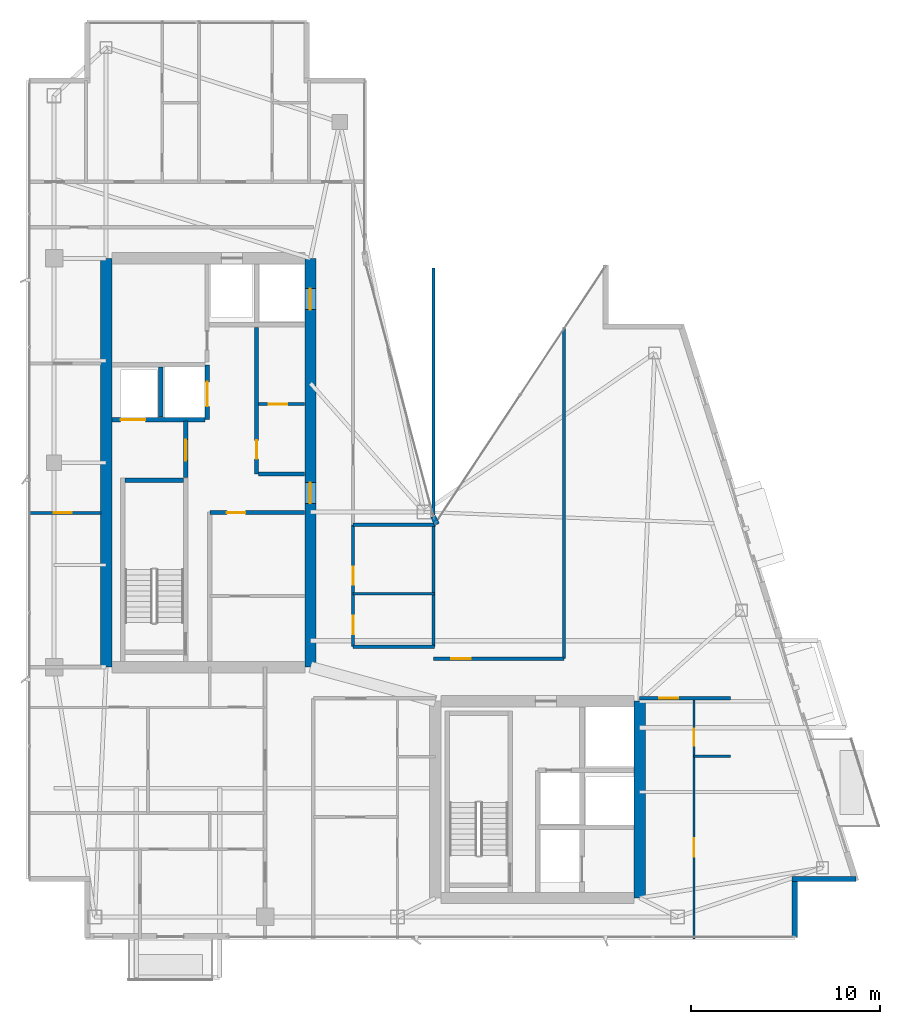
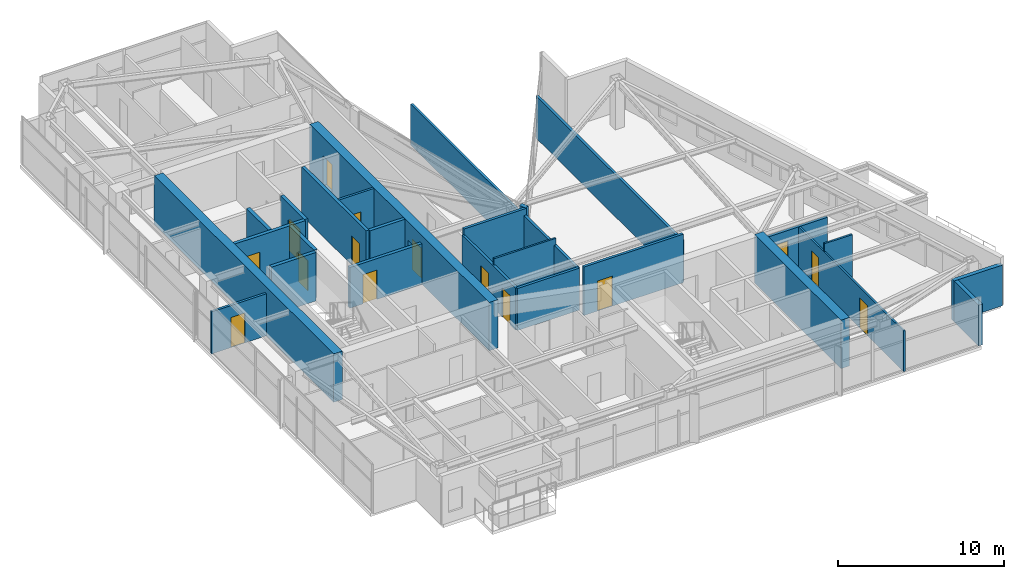
# One storey, part 24 of 28: 27 walls, 15 doors, 15 openings.
"""IFC4 building model written with IfcOpenShell, lengths in metres."""

from ifc_helpers import new_model, si_unit, direction, frame, frame_2d, origin, place, context, subcontext, project, spatial, rectangle, extrude, material, layer, layer_set, type_object, element, fill, save


model = new_model("IFC4")

# Units and contexts
model_context = context("Model", 3, precision=1e-05, world=origin(), true_north=direction((0.0, 1.0)))
body_context = subcontext(model_context, "Body", "Model", "MODEL_VIEW")
ifc_project = project(units=[si_unit("LENGTHUNIT", "METRE"), si_unit("AREAUNIT", "SQUARE_METRE"), si_unit("VOLUMEUNIT", "CUBIC_METRE"), si_unit("PLANEANGLEUNIT", "RADIAN"), si_unit("MASSUNIT", "GRAM", prefix="KILO")], contexts=[model_context])

# Site, building, storey
site_placement = place(None, origin())
site = spatial("IfcSite", under=ifc_project, at=site_placement, CompositionType="ELEMENT")
building_placement = place(site_placement, origin())
building = spatial("IfcBuilding", under=site, at=building_placement, Name="Calvorn Quay Hotel", CompositionType="ELEMENT")
storey_placement = place(building_placement, frame((0.0, 0.0, 267.300048828125)))
storey = spatial("IfcBuildingStorey", under=building, at=storey_placement, Name="L66", CompositionType="ELEMENT", Elevation=267.300048828125)

# Wall
ifc_material_1 = material(Name="Concrete C45", Category="concrete")
ifc_layer_1 = layer(ifc_material_1, 0.60009765625)
ifc_layer_set_1 = layer_set([ifc_layer_1], Name="WL-CORE-600")
wall_type_1 = type_object("IfcWallType", Name="WL-CORE-600", PredefinedType="SHEAR", material=ifc_layer_set_1)
wall_1_placement = place(storey_placement, frame((4.199951171875, 16.800048828125, 0.0), z_axis=(0.0, 0.0, 1.0), x_axis=(0.0, 1.0, 0.0)))
element("IfcWall", 1, at=wall_1_placement, inside=storey, type_object=wall_type_1, Name="West Core Shear Wall W (L66)", PredefinedType="SHEAR", context=body_context, shape_type="SweptSolid", body=[
    extrude(rectangle(XDim=21.599853515625, YDim=0.60009765625, at=frame_2d((10.7998046875, 0.0))), origin(), (0.0, 0.0, 1.0), 3.56005859375),
])

# Wall, openings, doors
wall_2_placement = place(storey_placement, frame((15.0, 16.800048828125, 0.0), z_axis=(0.0, 0.0, 1.0), x_axis=(0.0, 1.0, 0.0)))
wall_2 = element("IfcWall", 2, at=wall_2_placement, inside=storey, type_object=wall_type_1, Name="West Core Shear Wall E (L66)", PredefinedType="SHEAR", context=body_context, shape_type="SweptSolid", body=[
    extrude(rectangle(XDim=21.599853515625, YDim=0.60009765625, at=frame_2d((10.7998046875, 0.0))), origin(), (0.0, 0.0, 1.0), 3.56005859375),
])
opening_1_placement = place(wall_2_placement, frame((8.64990234375, 0.0, 0.0)))
opening_1 = element("IfcOpeningElement", 3, at=opening_1_placement, cuts=wall_2, Name="Opening D-L66-CW1", PredefinedType="OPENING", context=body_context, shape_type="SweptSolid", body=[
    extrude(rectangle(XDim=1.10009765625, YDim=2.199951171875, at=frame_2d((0.550048828125, 1.10009765625))), frame((0.0, 0.31005859375, 0.0), z_axis=(0.0, -1.0, 0.0), x_axis=(1.0, 0.0, 0.0)), (0.0, 0.0, 1.0), 0.6201171875),
])
opening_2_placement = place(wall_2_placement, frame((18.89990234375, 0.0, 0.0)))
opening_2 = element("IfcOpeningElement", 4, at=opening_2_placement, cuts=wall_2, Name="Opening LD-L66-H1", PredefinedType="OPENING", context=body_context, shape_type="SweptSolid", body=[
    extrude(rectangle(XDim=1.10009765625, YDim=2.199951171875, at=frame_2d((0.550048828125, 1.10009765625))), frame((0.0, 0.31005859375, 0.0), z_axis=(0.0, -1.0, 0.0), x_axis=(1.0, 0.0, 0.0)), (0.0, 0.0, 1.0), 0.6201171875),
])
ifc_material_2 = material(Name="Smoke-Sealed Steel Class A Fire Door", Category="steel")
door_type_1 = type_object("IfcDoorType", Name="DR-FFLOBBY-1100", OperationType="NOTDEFINED", PredefinedType="DOOR", material=ifc_material_2)
door_1_placement = place(opening_1_placement, origin())
door_1 = element("IfcDoor", 5, at=door_1_placement, inside=storey, type_object=door_type_1, Name="West Core Vestibule Fire Door (L66)", OperationType="SINGLE_SWING_LEFT", OverallHeight=2.199951171875, OverallWidth=1.10009765625, PredefinedType="DOOR", context=body_context, shape_type="SweptSolid", body=[
    extrude(rectangle(XDim=1.10009765625, YDim=2.199951171875, at=frame_2d((0.550048828125, 1.10009765625))), frame((0.0, 0.02490234375, 0.0), z_axis=(0.0, -1.0, 0.0), x_axis=(1.0, 0.0, 0.0)), (0.0, 0.0, 1.0), 0.050048828125),
])
fill(opening_1, door_1)
ifc_material_3 = material(Name="Brushed Stainless Steel Sliding Lift Landing Door", Category="steel")
door_type_2 = type_object("IfcDoorType", Name="DR-LIFT-PASS-1100", OperationType="NOTDEFINED", PredefinedType="DOOR", material=ifc_material_3)
door_2_placement = place(opening_2_placement, origin())
door_2 = element("IfcDoor", 6, at=door_2_placement, inside=storey, type_object=door_type_2, Name="High-Rise Lift PL-H1 Landing Door (L66)", OperationType="DOUBLE_DOOR_SLIDING", OverallHeight=2.199951171875, OverallWidth=1.10009765625, PredefinedType="DOOR", context=body_context, shape_type="SweptSolid", body=[
    extrude(rectangle(XDim=1.10009765625, YDim=2.199951171875, at=frame_2d((0.550048828125, 1.10009765625))), frame((0.0, 0.02490234375, 0.0), z_axis=(0.0, -1.0, 0.0), x_axis=(1.0, 0.0, 0.0)), (0.0, 0.0, 1.0), 0.050048828125),
])
fill(opening_2, door_2)

# Walls
wall_3_placement = place(storey_placement, frame((32.39990234375, 4.60009765625, 0.0), z_axis=(0.0, 0.0, 1.0), x_axis=(0.0, 1.0, 0.0)))
element("IfcWall", 7, at=wall_3_placement, inside=storey, type_object=wall_type_1, Name="East Core Shear Wall E (L66)", PredefinedType="SHEAR", context=body_context, shape_type="SweptSolid", body=[
    extrude(rectangle(XDim=10.39990234375, YDim=0.60009765625, at=frame_2d((5.199951171875, 0.0))), origin(), (0.0, 0.0, 1.0), 3.56005859375),
])
ifc_material_4 = material(Name="Acoustic Fireboard Steel-Stud Partition", Category="steel")
ifc_layer_2 = layer(ifc_material_4, 0.179931640625)
ifc_layer_set_2 = layer_set([ifc_layer_2], Name="WL-CORR-FIRE-180")
wall_type_2 = type_object("IfcWallType", Name="WL-CORR-FIRE-180", PredefinedType="PARTITIONING", material=ifc_layer_set_2)
wall_4_placement = place(storey_placement, frame((17.25, 17.8798828125, 0.0), z_axis=(0.0, 0.0, 1.0), x_axis=(1.0, 0.0, 0.0)))
element("IfcWall", 8, at=wall_4_placement, inside=storey, type_object=wall_type_2, Name="Partition Wall L66-WL-HK-S", PredefinedType="PARTITIONING", context=body_context, shape_type="SweptSolid", body=[
    extrude(rectangle(XDim=4.300048828125, YDim=0.179931640625, at=frame_2d((2.14990234375, 0.0))), origin(), (0.0, 0.0, 1.0), 3.08984375),
])
wall_5_placement = place(storey_placement, frame((17.25, 24.320068359375, 0.0), z_axis=(0.0, 0.0, 1.0), x_axis=(1.0, 0.0, 0.0)))
element("IfcWall", 9, at=wall_5_placement, inside=storey, type_object=wall_type_2, Name="Partition Wall L66-WL-HK-N", PredefinedType="PARTITIONING", context=body_context, shape_type="SweptSolid", body=[
    extrude(rectangle(XDim=4.35009765625, YDim=0.179931640625, at=frame_2d((2.175048828125, 0.0))), origin(), (0.0, 0.0, 1.0), 3.56005859375),
])
wall_6_placement = place(storey_placement, frame((21.5, 17.8798828125, 0.0), z_axis=(0.0, 0.0, 1.0), x_axis=(0.0, 1.0, 0.0)))
element("IfcWall", 10, at=wall_6_placement, inside=storey, type_object=wall_type_2, Name="Partition Wall L66-WL-HK-E", PredefinedType="PARTITIONING", context=body_context, shape_type="SweptSolid", body=[
    extrude(rectangle(XDim=6.440185546875, YDim=0.179931640625, at=frame_2d((3.22021484375, 0.0))), origin(), (0.0, 0.0, 1.0), 3.08984375),
])

# Wall, openings, doors
wall_7_placement = place(storey_placement, frame((17.25, 17.8798828125, 0.0), z_axis=(0.0, 0.0, 1.0), x_axis=(0.0, 1.0, 0.0)))
wall_7 = element("IfcWall", 11, at=wall_7_placement, inside=storey, type_object=wall_type_2, Name="Partition Wall L66-WL-HK-W", PredefinedType="PARTITIONING", context=body_context, shape_type="SweptSolid", body=[
    extrude(rectangle(XDim=6.440185546875, YDim=0.179931640625, at=frame_2d((3.22021484375, 0.0))), origin(), (0.0, 0.0, 1.0), 3.08984375),
])
opening_3_placement = place(wall_7_placement, frame((0.64990234375, 0.0, 0.0)))
opening_3 = element("IfcOpeningElement", 12, at=opening_3_placement, cuts=wall_7, Name="Opening D-L66-HK", PredefinedType="OPENING", context=body_context, shape_type="SweptSolid", body=[
    extrude(rectangle(XDim=0.97998046875, YDim=2.14990234375, at=frame_2d((0.489990234375, 1.074951171875))), frame((0.0, 0.099853515625, 0.0), z_axis=(0.0, -1.0, 0.0), x_axis=(1.0, 0.0, 0.0)), (0.0, 0.0, 1.0), 0.199951171875),
])
opening_4_placement = place(wall_7_placement, frame((3.27001953125, 0.0, 0.0)))
opening_4 = element("IfcOpeningElement", 13, at=opening_4_placement, cuts=wall_7, Name="Opening D-L66-NCP", PredefinedType="OPENING", context=body_context, shape_type="SweptSolid", body=[
    extrude(rectangle(XDim=0.9599609375, YDim=2.199951171875, at=frame_2d((0.47998046875, 1.10009765625))), frame((0.0, 0.099853515625, 0.0), z_axis=(0.0, -1.0, 0.0), x_axis=(1.0, 0.0, 0.0)), (0.0, 0.0, 1.0), 0.199951171875),
])
ifc_material_5 = material(Name="Painted Steel Housekeeping/Riser Fire Door", Category="steel")
door_type_3 = type_object("IfcDoorType", Name="DR-SERVICE-980", OperationType="NOTDEFINED", PredefinedType="DOOR", material=ifc_material_5)
door_3_placement = place(opening_3_placement, origin())
door_3 = element("IfcDoor", 14, at=door_3_placement, inside=storey, type_object=door_type_3, Name="Floor Housekeeping Door (L66)", OperationType="SINGLE_SWING_LEFT", OverallHeight=2.14990234375, OverallWidth=0.97998046875, PredefinedType="DOOR", context=body_context, shape_type="SweptSolid", body=[
    extrude(rectangle(XDim=0.97998046875, YDim=2.14990234375, at=frame_2d((0.489990234375, 1.074951171875))), frame((0.0, 0.02490234375, 0.0), z_axis=(0.0, -1.0, 0.0), x_axis=(1.0, 0.0, 0.0)), (0.0, 0.0, 1.0), 0.050048828125),
])
fill(opening_3, door_3)
ifc_material_6 = material(Name="Solid Timber Internal Suite Door", Category="wood")
door_type_4 = type_object("IfcDoorType", Name="DR-SUITE-INT-960", OperationType="NOTDEFINED", PredefinedType="DOOR", material=ifc_material_6)
door_4_placement = place(opening_4_placement, origin())
door_4 = element("IfcDoor", 15, at=door_4_placement, inside=storey, type_object=door_type_4, Name="Reading Alcove Door (L66)", OperationType="SINGLE_SWING_RIGHT", OverallHeight=2.199951171875, OverallWidth=0.9599609375, PredefinedType="DOOR", context=body_context, shape_type="SweptSolid", body=[
    extrude(rectangle(XDim=0.9599609375, YDim=2.199951171875, at=frame_2d((0.47998046875, 1.10009765625))), frame((0.0, 0.02490234375, 0.0), z_axis=(0.0, -1.0, 0.0), x_axis=(1.0, 0.0, 0.0)), (0.0, 0.0, 1.0), 0.050048828125),
])
fill(opening_4, door_4)

# Wall, opening, door
wall_8_placement = place(storey_placement, frame((32.39990234375, 15.14990234375, 0.0), z_axis=(0.0, 0.0, 1.0), x_axis=(1.0, 0.0, 0.0)))
wall_8 = element("IfcWall", 16, at=wall_8_placement, inside=storey, type_object=wall_type_2, Name="Partition Wall L66-WL-CORR-SE-S", PredefinedType="PARTITIONING", context=body_context, shape_type="SweptSolid", body=[
    extrude(rectangle(XDim=4.800048828125, YDim=0.179931640625, at=frame_2d((2.39990234375, 0.0))), origin(), (0.0, 0.0, 1.0), 2.989990234375),
])
opening_5_placement = place(wall_8_placement, frame((1.030029296875, 0.0, 0.0)))
opening_5 = element("IfcOpeningElement", 17, at=opening_5_placement, cuts=wall_8, Name="Opening D-L66-U06", PredefinedType="OPENING", context=body_context, shape_type="SweptSolid", body=[
    extrude(rectangle(XDim=1.02001953125, YDim=2.199951171875, at=frame_2d((0.510009765625, 1.10009765625))), frame((0.0, 0.099853515625, 0.0), z_axis=(0.0, -1.0, 0.0), x_axis=(1.0, 0.0, 0.0)), (0.0, 0.0, 1.0), 0.199951171875),
])
ifc_material_7 = material(Name="Solid-Core Walnut Veneer Hotel Fire Door")
door_type_5 = type_object("IfcDoorType", Name="DR-GUEST-ENTRY-1020", OperationType="NOTDEFINED", PredefinedType="DOOR", material=ifc_material_7)
door_5_placement = place(opening_5_placement, origin())
door_5 = element("IfcDoor", 18, at=door_5_placement, inside=storey, type_object=door_type_5, Name="South-East Unit Door U06 (L66)", OperationType="SINGLE_SWING_LEFT", OverallHeight=2.199951171875, OverallWidth=1.02001953125, PredefinedType="DOOR", context=body_context, shape_type="SweptSolid", body=[
    extrude(rectangle(XDim=1.02001953125, YDim=2.199951171875, at=frame_2d((0.510009765625, 1.10009765625))), frame((0.0, 0.02490234375, 0.0), z_axis=(0.0, -1.0, 0.0), x_axis=(1.0, 0.0, 0.0)), (0.0, 0.0, 1.0), 0.050048828125),
])
fill(opening_5, door_5)

wall_9_placement = place(storey_placement, frame((21.5, 17.25, 0.0), z_axis=(0.0, 0.0, 1.0), x_axis=(1.0, 0.0, 0.0)))
wall_9 = element("IfcWall", 19, at=wall_9_placement, inside=storey, type_object=wall_type_2, Name="Partition Wall L66-WL-CORR-NE-N", PredefinedType="PARTITIONING", context=body_context, shape_type="SweptSolid", body=[
    extrude(rectangle(XDim=6.89990234375, YDim=0.179931640625, at=frame_2d((3.449951171875, 0.0))), origin(), (0.0, 0.0, 1.0), 3.56005859375),
])
opening_6_placement = place(wall_9_placement, frame((0.949951171875, 0.0, 0.0)))
opening_6 = element("IfcOpeningElement", 20, at=opening_6_placement, cuts=wall_9, Name="Opening D-L66-NS1", PredefinedType="OPENING", context=body_context, shape_type="SweptSolid", body=[
    extrude(rectangle(XDim=1.02001953125, YDim=2.199951171875, at=frame_2d((0.510009765625, 1.10009765625))), frame((0.0, 0.099853515625, 0.0), z_axis=(0.0, -1.0, 0.0), x_axis=(1.0, 0.0, 0.0)), (0.0, 0.0, 1.0), 0.199951171875),
])
door_6_placement = place(opening_6_placement, origin())
door_6 = element("IfcDoor", 21, at=door_6_placement, inside=storey, type_object=door_type_5, Name="Conservatory Salon Door 1 (L66)", OperationType="SINGLE_SWING_RIGHT", OverallHeight=2.199951171875, OverallWidth=1.02001953125, PredefinedType="DOOR", context=body_context, shape_type="SweptSolid", body=[
    extrude(rectangle(XDim=1.02001953125, YDim=2.199951171875, at=frame_2d((0.510009765625, 1.10009765625))), frame((0.0, 0.02490234375, 0.0), z_axis=(0.0, -1.0, 0.0), x_axis=(1.0, 0.0, 0.0)), (0.0, 0.0, 1.0), 0.050048828125),
])
fill(opening_6, door_6)

# Walls
wall_10_placement = place(storey_placement, frame((28.39990234375, 17.25, 0.0), z_axis=(0.0, 0.0, 1.0), x_axis=(0.0, 1.0, 0.0)))
element("IfcWall", 22, at=wall_10_placement, inside=storey, type_object=wall_type_2, Name="Partition Wall L66-WL-NE-END-E", PredefinedType="PARTITIONING", context=body_context, shape_type="SweptSolid", body=[
    extrude(rectangle(XDim=17.510009765625, YDim=0.179931640625, at=frame_2d((8.7548828125, 0.0))), origin(), (0.0, 0.0, 1.0), 3.08984375),
])
ifc_material_8 = material(Name="Moisture-Resistant Tile-Backed Partition")
ifc_layer_3 = layer(ifc_material_8, 0.125)
ifc_layer_set_3 = layer_set([ifc_layer_3], Name="WL-ENSUITE-125")
wall_type_3 = type_object("IfcWallType", Name="WL-ENSUITE-125", PredefinedType="PARTITIONING", material=ifc_layer_set_3)
wall_11_placement = place(storey_placement, frame((17.25, 20.679931640625, 0.0), z_axis=(0.0, 0.0, 1.0), x_axis=(1.0, 0.0, 0.0)))
element("IfcWall", 23, at=wall_11_placement, inside=storey, type_object=wall_type_3, Name="Partition Wall L66-WL-HK-M", PredefinedType="PARTITIONING", context=body_context, shape_type="SweptSolid", body=[
    extrude(rectangle(XDim=4.300048828125, YDim=0.125, at=frame_2d((2.14990234375, 0.0))), origin(), (0.0, 0.0, 1.0), 3.56005859375),
])
wall_12_placement = place(storey_placement, frame((35.27001953125, 12.10009765625, 0.0), z_axis=(0.0, 0.0, 1.0), x_axis=(1.0, 0.0, 0.0)))
element("IfcWall", 24, at=wall_12_placement, inside=storey, type_object=wall_type_3, Name="Partition Wall L66-WL-U06-BDV", PredefinedType="PARTITIONING", context=body_context, shape_type="SweptSolid", body=[
    extrude(rectangle(XDim=1.929931640625, YDim=0.125, at=frame_2d((0.96484375, 0.0))), origin(), (0.0, 0.0, 1.0), 3.56005859375),
])

# Wall, openings, doors
wall_13_placement = place(storey_placement, frame((35.27001953125, 2.43994140625, 0.0), z_axis=(0.0, 0.0, 1.0), x_axis=(0.0, 1.0, 0.0)))
wall_13 = element("IfcWall", 25, at=wall_13_placement, inside=storey, type_object=wall_type_3, Name="Partition Wall L66-WL-U06-BV", PredefinedType="PARTITIONING", context=body_context, shape_type="SweptSolid", body=[
    extrude(rectangle(XDim=12.7099609375, YDim=0.125, at=frame_2d((6.35498046875, 0.0))), origin(), (0.0, 0.0, 1.0), 2.989990234375),
])
opening_7_placement = place(wall_13_placement, frame((4.35009765625, 0.0, 0.0)))
opening_7 = element("IfcOpeningElement", 26, at=opening_7_placement, cuts=wall_13, Name="Opening D-L66-S06", PredefinedType="OPENING", context=body_context, shape_type="SweptSolid", body=[
    extrude(rectangle(XDim=0.9599609375, YDim=2.199951171875, at=frame_2d((0.47998046875, 1.10009765625))), frame((0.0, 0.072509765625, 0.0), z_axis=(0.0, -1.0, 0.0), x_axis=(1.0, 0.0, 0.0)), (0.0, 0.0, 1.0), 0.14501953125),
])
opening_8_placement = place(wall_13_placement, frame((10.2099609375, 0.0, 0.0)))
opening_8 = element("IfcOpeningElement", 27, at=opening_8_placement, cuts=wall_13, Name="Opening D-L66-E06", PredefinedType="OPENING", context=body_context, shape_type="SweptSolid", body=[
    extrude(rectangle(XDim=0.89990234375, YDim=2.14990234375, at=frame_2d((0.449951171875, 1.074951171875))), frame((0.0, 0.072509765625, 0.0), z_axis=(0.0, -1.0, 0.0), x_axis=(1.0, 0.0, 0.0)), (0.0, 0.0, 1.0), 0.14501953125),
])
ifc_material_9 = material(Name="Moisture-Sealed Timber En-Suite Door", Category="wood")
door_type_6 = type_object("IfcDoorType", Name="DR-ENSUITE-900", OperationType="NOTDEFINED", PredefinedType="DOOR", material=ifc_material_9)
door_7_placement = place(opening_8_placement, origin())
door_7 = element("IfcDoor", 28, at=door_7_placement, inside=storey, type_object=door_type_6, Name="En-Suite Door 06", OperationType="SINGLE_SWING_RIGHT", OverallHeight=2.14990234375, OverallWidth=0.89990234375, PredefinedType="DOOR", context=body_context, shape_type="SweptSolid", body=[
    extrude(rectangle(XDim=0.89990234375, YDim=2.14990234375, at=frame_2d((0.449951171875, 1.074951171875))), frame((0.0, 0.02490234375, 0.0), z_axis=(0.0, -1.0, 0.0), x_axis=(1.0, 0.0, 0.0)), (0.0, 0.0, 1.0), 0.050048828125),
])
fill(opening_8, door_7)
door_8_placement = place(opening_7_placement, origin())
door_8 = element("IfcDoor", 29, at=door_8_placement, inside=storey, type_object=door_type_4, Name="Harbour Dining Den Door 06", OperationType="SINGLE_SWING_LEFT", OverallHeight=2.199951171875, OverallWidth=0.9599609375, PredefinedType="DOOR", context=body_context, shape_type="SweptSolid", body=[
    extrude(rectangle(XDim=0.9599609375, YDim=2.199951171875, at=frame_2d((0.47998046875, 1.10009765625))), frame((0.0, 0.02490234375, 0.0), z_axis=(0.0, -1.0, 0.0), x_axis=(1.0, 0.0, 0.0)), (0.0, 0.0, 1.0), 0.050048828125),
])
fill(opening_7, door_8)

# Walls
ifc_material_10 = material(Name="Concrete C40", Category="concrete")
ifc_layer_4 = layer(ifc_material_10, 0.320068359375)
ifc_layer_set_4 = layer_set([ifc_layer_4], Name="WL-EXT-SPANDREL-320")
wall_type_4 = type_object("IfcWallType", Name="WL-EXT-SPANDREL-320", PredefinedType="SOLIDWALL", material=ifc_layer_set_4)
wall_14_placement = place(storey_placement, frame((21.679931640625, 24.340087890625, 0.0), z_axis=(0.0, 0.0, 1.0), x_axis=(-0.40758134973, 0.913168901875, 0.0)))
element("IfcWall", 30, at=wall_14_placement, inside=storey, type_object=wall_type_4, Name="Inner Court Corner Pier L66-ICJ1", PredefinedType="SOLIDWALL", context=body_context, shape_type="SweptSolid", body=[
    extrude(rectangle(XDim=0.470703125, YDim=0.280029296875, at=frame_2d((0.2353515625, 0.0))), origin(), (0.0, 0.0, 1.0), 3.56005859375),
])
wall_15_placement = place(storey_placement, frame((40.60009765625, 2.52001953125, 0.0), z_axis=(0.0, 0.0, 1.0), x_axis=(0.0, 1.0, 0.0)))
element("IfcWall", 31, at=wall_15_placement, inside=storey, type_object=wall_type_4, Name="Notched Corner Spandrel L66-SE1", PredefinedType="SOLIDWALL", context=body_context, shape_type="SweptSolid", body=[
    extrude(rectangle(XDim=2.93994140625, YDim=0.280029296875, at=frame_2d((1.469970703125, 0.0))), origin(), (0.0, 0.0, 1.0), 2.989990234375),
])
wall_16_placement = place(storey_placement, frame((40.4599609375, 5.60009765625, 0.0), z_axis=(0.0, 0.0, 1.0), x_axis=(1.0, 0.0, 0.0)))
element("IfcWall", 32, at=wall_16_placement, inside=storey, type_object=wall_type_4, Name="Notched Corner Spandrel L66-SE2", PredefinedType="SOLIDWALL", context=body_context, shape_type="SweptSolid", body=[
    extrude(rectangle(XDim=3.380126953125, YDim=0.280029296875, at=frame_2d((1.68994140625, 0.0))), origin(), (0.0, 0.0, 1.0), 2.989990234375),
])

# Wall, opening, door
ifc_material_11 = material(Name="Double-Stud Acoustic Gypsum Partition")
ifc_layer_5 = layer(ifc_material_11, 0.159912109375)
ifc_layer_set_5 = layer_set([ifc_layer_5], Name="WL-INTERSUITE-160")
wall_type_5 = type_object("IfcWallType", Name="WL-INTERSUITE-160", PredefinedType="PARTITIONING", material=ifc_layer_set_5)
wall_17_placement = place(storey_placement, frame((12.25, 30.699951171875, 0.0), z_axis=(0.0, 0.0, 1.0), x_axis=(1.0, 0.0, 0.0)))
wall_17 = element("IfcWall", 33, at=wall_17_placement, inside=storey, type_object=wall_type_5, Name="Partition Wall L66-WL-CWW-FM-SPLIT", PredefinedType="PARTITIONING", context=body_context, shape_type="SweptSolid", body=[
    extrude(rectangle(XDim=2.429931640625, YDim=0.159912109375, at=frame_2d((1.21484375, 0.0))), origin(), (0.0, 0.0, 1.0), 3.56005859375),
])
opening_9_placement = place(wall_17_placement, frame((0.550048828125, 0.0, 0.0)))
opening_9 = element("IfcOpeningElement", 34, at=opening_9_placement, cuts=wall_17, Name="Opening D-L66-FM2", PredefinedType="OPENING", context=body_context, shape_type="SweptSolid", body=[
    extrude(rectangle(XDim=0.97998046875, YDim=2.14990234375, at=frame_2d((0.489990234375, 1.074951171875))), frame((0.0, 0.08984375, 0.0), z_axis=(0.0, -1.0, 0.0), x_axis=(1.0, 0.0, 0.0)), (0.0, 0.0, 1.0), 0.179931640625),
])
door_9_placement = place(opening_9_placement, origin())
door_9 = element("IfcDoor", 35, at=door_9_placement, inside=storey, type_object=door_type_3, Name="Comms Room Door (L66)", OperationType="SINGLE_SWING_LEFT", OverallHeight=2.14990234375, OverallWidth=0.97998046875, PredefinedType="DOOR", context=body_context, shape_type="SweptSolid", body=[
    extrude(rectangle(XDim=0.97998046875, YDim=2.14990234375, at=frame_2d((0.489990234375, 1.074951171875))), frame((0.0, 0.02490234375, 0.0), z_axis=(0.0, -1.0, 0.0), x_axis=(1.0, 0.0, 0.0)), (0.0, 0.0, 1.0), 0.050048828125),
])
fill(opening_9, door_9)

wall_18_placement = place(storey_placement, frame((0.080078125, 24.949951171875, 0.0), z_axis=(0.0, 0.0, 1.0), x_axis=(1.0, 0.0, 0.0)))
wall_18 = element("IfcWall", 36, at=wall_18_placement, inside=storey, type_object=wall_type_5, Name="Partition Wall L66-WL-WBAY-DIVA", PredefinedType="PARTITIONING", context=body_context, shape_type="SweptSolid", body=[
    extrude(rectangle(XDim=3.849853515625, YDim=0.159912109375, at=frame_2d((1.9248046875, 0.0))), origin(), (0.0, 0.0, 1.0), 3.08984375),
])
opening_10_placement = place(wall_18_placement, frame((1.35009765625, 0.0, 0.0)))
opening_10 = element("IfcOpeningElement", 37, at=opening_10_placement, cuts=wall_18, Name="Opening D-L66-WBA", PredefinedType="OPENING", context=body_context, shape_type="SweptSolid", body=[
    extrude(rectangle(XDim=0.9599609375, YDim=2.199951171875, at=frame_2d((0.47998046875, 1.10009765625))), frame((0.0, 0.08984375, 0.0), z_axis=(0.0, -1.0, 0.0), x_axis=(1.0, 0.0, 0.0)), (0.0, 0.0, 1.0), 0.179931640625),
])
door_10_placement = place(opening_10_placement, origin())
door_10 = element("IfcDoor", 38, at=door_10_placement, inside=storey, type_object=door_type_4, Name="West South Connecting Door (L66)", OperationType="SINGLE_SWING_LEFT", OverallHeight=2.199951171875, OverallWidth=0.9599609375, PredefinedType="DOOR", context=body_context, shape_type="SweptSolid", body=[
    extrude(rectangle(XDim=0.9599609375, YDim=2.199951171875, at=frame_2d((0.47998046875, 1.10009765625))), frame((0.0, 0.02490234375, 0.0), z_axis=(0.0, -1.0, 0.0), x_axis=(1.0, 0.0, 0.0)), (0.0, 0.0, 1.0), 0.050048828125),
])
fill(opening_10, door_10)

# Wall
wall_19_placement = place(storey_placement, frame((21.5, 24.85009765625, 0.0), z_axis=(0.0, 0.0, 1.0), x_axis=(0.0, 1.0, 0.0)))
element("IfcWall", 39, at=wall_19_placement, inside=storey, type_object=wall_type_5, Name="Partition Wall L66-WL-NC-UPPER-E", PredefinedType="PARTITIONING", context=body_context, shape_type="SweptSolid", body=[
    extrude(rectangle(XDim=13.0498046875, YDim=0.159912109375, at=frame_2d((6.52490234375, 0.0))), origin(), (0.0, 0.0, 1.0), 2.989990234375),
])

# Wall, opening, door
ifc_material_12 = material(Name="Autoclaved Aerated Masonry Block", Category="masonry")
ifc_layer_6 = layer(ifc_material_12, 0.219970703125)
ifc_layer_set_6 = layer_set([ifc_layer_6], Name="WL-LOBBY-FIRE-220")
wall_type_6 = type_object("IfcWallType", Name="WL-LOBBY-FIRE-220", PredefinedType="SOLIDWALL", material=ifc_layer_set_6)
wall_20_placement = place(storey_placement, frame((9.679931640625, 24.969970703125, 0.0), z_axis=(0.0, 0.0, 1.0), x_axis=(1.0, 0.0, 0.0)))
wall_20 = element("IfcWall", 40, at=wall_20_placement, inside=storey, type_object=wall_type_6, Name="Partition Wall L66-WL-CWW-FR-N", PredefinedType="SOLIDWALL", context=body_context, shape_type="SweptSolid", body=[
    extrude(rectangle(XDim=5.0, YDim=0.219970703125, at=frame_2d((2.5, 0.0))), origin(), (0.0, 0.0, 1.0), 2.989990234375),
])
opening_11_placement = place(wall_20_placement, frame((0.89990234375, 0.0, 0.0)))
opening_11 = element("IfcOpeningElement", 41, at=opening_11_placement, cuts=wall_20, Name="Opening D-L66-FRL2", PredefinedType="OPENING", context=body_context, shape_type="SweptSolid", body=[
    extrude(rectangle(XDim=0.97998046875, YDim=2.14990234375, at=frame_2d((0.489990234375, 1.074951171875))), frame((0.0, 0.119873046875, 0.0), z_axis=(0.0, -1.0, 0.0), x_axis=(1.0, 0.0, 0.0)), (0.0, 0.0, 1.0), 0.239990234375),
])
door_11_placement = place(opening_11_placement, origin())
door_11 = element("IfcDoor", 42, at=door_11_placement, inside=storey, type_object=door_type_3, Name="Beverage Pantry Door (L66)", OperationType="SINGLE_SWING_RIGHT", OverallHeight=2.14990234375, OverallWidth=0.97998046875, PredefinedType="DOOR", context=body_context, shape_type="SweptSolid", body=[
    extrude(rectangle(XDim=0.97998046875, YDim=2.14990234375, at=frame_2d((0.489990234375, 1.074951171875))), frame((0.0, 0.02490234375, 0.0), z_axis=(0.0, -1.0, 0.0), x_axis=(1.0, 0.0, 0.0)), (0.0, 0.0, 1.0), 0.050048828125),
])
fill(opening_11, door_11)

# Wall
wall_21_placement = place(storey_placement, frame((12.25, 27.0, 0.0), z_axis=(0.0, 0.0, 1.0), x_axis=(1.0, 0.0, 0.0)))
element("IfcWall", 43, at=wall_21_placement, inside=storey, type_object=wall_type_6, Name="Partition Wall L66-WL-CWW-FM-S", PredefinedType="SOLIDWALL", context=body_context, shape_type="SweptSolid", body=[
    extrude(rectangle(XDim=2.429931640625, YDim=0.219970703125, at=frame_2d((1.21484375, 0.0))), origin(), (0.0, 0.0, 1.0), 3.56005859375),
])

# Wall, opening, door
wall_22_placement = place(storey_placement, frame((12.14990234375, 27.0, 0.0), z_axis=(0.0, 0.0, 1.0), x_axis=(0.0, 1.0, 0.0)))
wall_22 = element("IfcWall", 44, at=wall_22_placement, inside=storey, type_object=wall_type_6, Name="Partition Wall L66-WL-CWW-FM-W", PredefinedType="SOLIDWALL", context=body_context, shape_type="SweptSolid", body=[
    extrude(rectangle(XDim=7.75, YDim=0.219970703125, at=frame_2d((3.875, 0.0))), origin(), (0.0, 0.0, 1.0), 3.56005859375),
])
opening_12_placement = place(wall_22_placement, frame((0.800048828125, 0.0, 0.0)))
opening_12 = element("IfcOpeningElement", 45, at=opening_12_placement, cuts=wall_22, Name="Opening D-L66-FM1", PredefinedType="OPENING", context=body_context, shape_type="SweptSolid", body=[
    extrude(rectangle(XDim=0.97998046875, YDim=2.14990234375, at=frame_2d((0.489990234375, 1.074951171875))), frame((0.0, 0.119873046875, 0.0), z_axis=(0.0, -1.0, 0.0), x_axis=(1.0, 0.0, 0.0)), (0.0, 0.0, 1.0), 0.239990234375),
])
door_12_placement = place(opening_12_placement, origin())
door_12 = element("IfcDoor", 46, at=door_12_placement, inside=storey, type_object=door_type_3, Name="Butler Pantry Door (L66)", OperationType="SINGLE_SWING_RIGHT", OverallHeight=2.14990234375, OverallWidth=0.97998046875, PredefinedType="DOOR", context=body_context, shape_type="SweptSolid", body=[
    extrude(rectangle(XDim=0.97998046875, YDim=2.14990234375, at=frame_2d((0.489990234375, 1.074951171875))), frame((0.0, 0.02490234375, 0.0), z_axis=(0.0, -1.0, 0.0), x_axis=(1.0, 0.0, 0.0)), (0.0, 0.0, 1.0), 0.050048828125),
])
fill(opening_12, door_12)

# Wall
ifc_material_13 = material(Name="Concrete C40", Category="concrete")
ifc_layer_7 = layer(ifc_material_13, 0.239990234375)
ifc_layer_set_7 = layer_set([ifc_layer_7], Name="WL-SHAFT-240")
wall_type_7 = type_object("IfcWallType", Name="WL-SHAFT-240", PredefinedType="SOLIDWALL", material=ifc_layer_set_7)
wall_23_placement = place(storey_placement, frame((5.199951171875, 26.669921875, 0.0), z_axis=(0.0, 0.0, 1.0), x_axis=(1.0, 0.0, 0.0)))
element("IfcWall", 47, at=wall_23_placement, inside=storey, type_object=wall_type_7, Name="Stair STW Shaft Wall N (L66)", PredefinedType="SOLIDWALL", context=body_context, shape_type="SweptSolid", body=[
    extrude(rectangle(XDim=3.10009765625, YDim=0.239990234375, at=frame_2d((1.550048828125, 0.0))), origin(), (0.0, 0.0, 1.0), 3.56005859375),
])

# Wall, opening, door
wall_24_placement = place(storey_placement, frame((8.419921875, 26.820068359375, 0.0), z_axis=(0.0, 0.0, 1.0), x_axis=(0.0, 1.0, 0.0)))
wall_24 = element("IfcWall", 48, at=wall_24_placement, inside=storey, type_object=wall_type_7, Name="Partition Wall L66-WL-CWW-FFL-E", PredefinedType="SOLIDWALL", context=body_context, shape_type="SweptSolid", body=[
    extrude(rectangle(XDim=3.0, YDim=0.239990234375, at=frame_2d((1.5, 0.0))), origin(), (0.0, 0.0, 1.0), 3.56005859375),
])
opening_13_placement = place(wall_24_placement, frame((0.89990234375, 0.0, 0.0)))
opening_13 = element("IfcOpeningElement", 49, at=opening_13_placement, cuts=wall_24, Name="Opening D-L66-FLW", PredefinedType="OPENING", context=body_context, shape_type="SweptSolid", body=[
    extrude(rectangle(XDim=1.10009765625, YDim=2.199951171875, at=frame_2d((0.550048828125, 1.10009765625))), frame((0.0, 0.1298828125, 0.0), z_axis=(0.0, -1.0, 0.0), x_axis=(1.0, 0.0, 0.0)), (0.0, 0.0, 1.0), 0.260009765625),
])
door_13_placement = place(opening_13_placement, origin())
door_13 = element("IfcDoor", 50, at=door_13_placement, inside=storey, type_object=door_type_1, Name="West Firefighting Lobby Fire Door (L66)", OperationType="SINGLE_SWING_RIGHT", OverallHeight=2.199951171875, OverallWidth=1.10009765625, PredefinedType="DOOR", context=body_context, shape_type="SweptSolid", body=[
    extrude(rectangle(XDim=1.10009765625, YDim=2.199951171875, at=frame_2d((0.550048828125, 1.10009765625))), frame((0.0, 0.02490234375, 0.0), z_axis=(0.0, -1.0, 0.0), x_axis=(1.0, 0.0, 0.0)), (0.0, 0.0, 1.0), 0.050048828125),
])
fill(opening_13, door_13)

wall_25_placement = place(storey_placement, frame((4.52001953125, 29.8798828125, 0.0), z_axis=(0.0, 0.0, 1.0), x_axis=(1.0, 0.0, 0.0)))
wall_25 = element("IfcWall", 51, at=wall_25_placement, inside=storey, type_object=wall_type_7, Name="Partition Wall L66-WL-CWW-FLW-S", PredefinedType="SOLIDWALL", context=body_context, shape_type="SweptSolid", body=[
    extrude(rectangle(XDim=4.89990234375, YDim=0.239990234375, at=frame_2d((2.449951171875, 0.0))), origin(), (0.0, 0.0, 1.0), 3.56005859375),
])
opening_14_placement = place(wall_25_placement, frame((0.449951171875, 0.0, 0.0)))
opening_14 = element("IfcOpeningElement", 52, at=opening_14_placement, cuts=wall_25, Name="Opening LD-L66-FLW1", PredefinedType="OPENING", context=body_context, shape_type="SweptSolid", body=[
    extrude(rectangle(XDim=1.300048828125, YDim=2.35009765625, at=frame_2d((0.64990234375, 1.175048828125))), frame((0.0, 0.1298828125, 0.0), z_axis=(0.0, -1.0, 0.0), x_axis=(1.0, 0.0, 0.0)), (0.0, 0.0, 1.0), 0.260009765625),
])
ifc_material_14 = material(Name="Champagne-Bronze Sliding Express Lift Landing Door")
door_type_7 = type_object("IfcDoorType", Name="DR-LIFT-SHUTTLE-1300", OperationType="NOTDEFINED", PredefinedType="DOOR", material=ifc_material_14)
door_14_placement = place(opening_14_placement, origin())
door_14 = element("IfcDoor", 53, at=door_14_placement, inside=storey, type_object=door_type_7, Name="Firefighting Lift FL-W1 Landing Door (L66)", OperationType="DOUBLE_DOOR_SLIDING", OverallHeight=2.35009765625, OverallWidth=1.300048828125, PredefinedType="DOOR", context=body_context, shape_type="SweptSolid", body=[
    extrude(rectangle(XDim=1.300048828125, YDim=2.35009765625, at=frame_2d((0.64990234375, 1.175048828125))), frame((0.0, 0.02490234375, 0.0), z_axis=(0.0, -1.0, 0.0), x_axis=(1.0, 0.0, 0.0)), (0.0, 0.0, 1.0), 0.050048828125),
])
fill(opening_14, door_14)

# Wall
wall_26_placement = place(storey_placement, frame((7.10009765625, 30.02001953125, 0.0), z_axis=(0.0, 0.0, 1.0), x_axis=(0.0, 1.0, 0.0)))
element("IfcWall", 54, at=wall_26_placement, inside=storey, type_object=wall_type_7, Name="Partition Wall L66-WL-CWW-FLW-DIV", PredefinedType="SOLIDWALL", context=body_context, shape_type="SweptSolid", body=[
    extrude(rectangle(XDim=2.6298828125, YDim=0.239990234375, at=frame_2d((1.31494140625, 0.0))), origin(), (0.0, 0.0, 1.0), 3.56005859375),
])

# Wall, opening, door
wall_27_placement = place(storey_placement, frame((9.5400390625, 29.8798828125, 0.0), z_axis=(0.0, 0.0, 1.0), x_axis=(0.0, 1.0, 0.0)))
wall_27 = element("IfcWall", 55, at=wall_27_placement, inside=storey, type_object=wall_type_7, Name="Partition Wall L66-WL-CWW-SLW-E", PredefinedType="SOLIDWALL", context=body_context, shape_type="SweptSolid", body=[
    extrude(rectangle(XDim=2.900146484375, YDim=0.239990234375, at=frame_2d((1.4501953125, 0.0))), origin(), (0.0, 0.0, 1.0), 3.56005859375),
])
opening_15_placement = place(wall_27_placement, frame((0.699951171875, 0.0, 0.0)))
opening_15 = element("IfcOpeningElement", 56, at=opening_15_placement, cuts=wall_27, Name="Opening LD-L66-SLW1", PredefinedType="OPENING", context=body_context, shape_type="SweptSolid", body=[
    extrude(rectangle(XDim=1.300048828125, YDim=2.35009765625, at=frame_2d((0.64990234375, 1.175048828125))), frame((0.0, 0.1298828125, 0.0), z_axis=(0.0, -1.0, 0.0), x_axis=(1.0, 0.0, 0.0)), (0.0, 0.0, 1.0), 0.260009765625),
])
door_15_placement = place(opening_15_placement, origin())
door_15 = element("IfcDoor", 57, at=door_15_placement, inside=storey, type_object=door_type_7, Name="Service Lift SL-W1 Landing Door (L66)", OperationType="DOUBLE_DOOR_SLIDING", OverallHeight=2.35009765625, OverallWidth=1.300048828125, PredefinedType="DOOR", context=body_context, shape_type="SweptSolid", body=[
    extrude(rectangle(XDim=1.300048828125, YDim=2.35009765625, at=frame_2d((0.64990234375, 1.175048828125))), frame((0.0, 0.02490234375, 0.0), z_axis=(0.0, -1.0, 0.0), x_axis=(1.0, 0.0, 0.0)), (0.0, 0.0, 1.0), 0.050048828125),
])
fill(opening_15, door_15)

save(model, "model.ifc")
